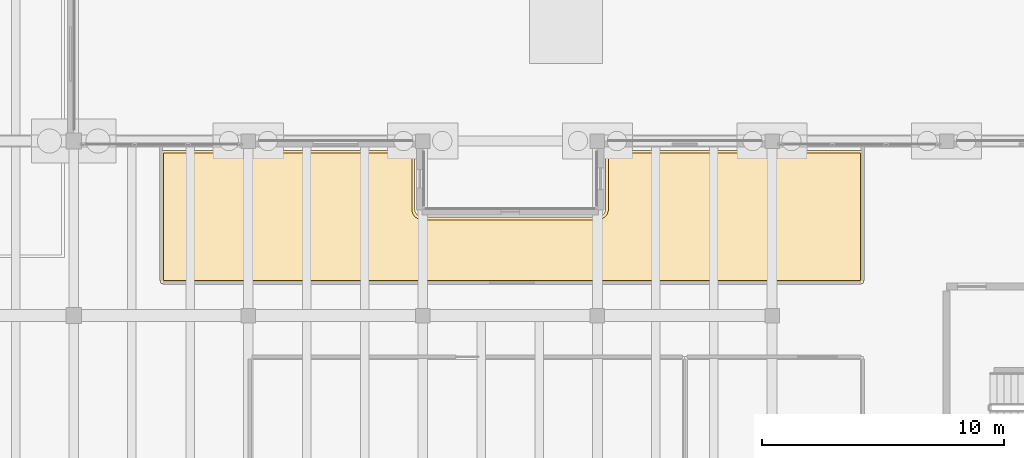
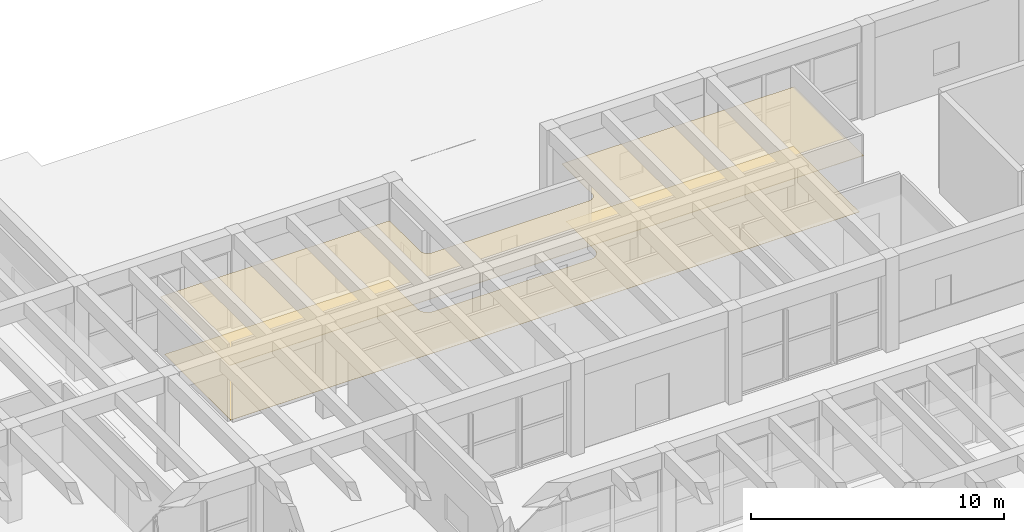
# One storey, part 149 of 155: 2 coverings.
"""IFC4 building model written with IfcOpenShell, lengths in metres."""

from ifc_helpers import new_model, si_unit, direction, frame, origin, place, context, subcontext, project, spatial, polyline, outline, extrude, material, layer, layer_set, type_object, element, save


model = new_model("IFC4")

# Units and contexts
model_context = context("Model", 3, precision=1e-05, world=origin(), true_north=direction((0.0, 1.0)))
body_context = subcontext(model_context, "Body", "Model", "MODEL_VIEW")
ifc_project = project(units=[si_unit("LENGTHUNIT", "METRE"), si_unit("AREAUNIT", "SQUARE_METRE"), si_unit("VOLUMEUNIT", "CUBIC_METRE"), si_unit("PLANEANGLEUNIT", "RADIAN"), si_unit("MASSUNIT", "GRAM", prefix="KILO")], contexts=[model_context])

# Site, building, storey
site_placement = place(None, origin())
site = spatial("IfcSite", under=ifc_project, at=site_placement, CompositionType="ELEMENT")
building_placement = place(site_placement, origin())
building = spatial("IfcBuilding", under=site, at=building_placement, Name="Bramvelor Terrace Health Centre", CompositionType="ELEMENT")
storey_placement = place(building_placement, origin())
storey = spatial("IfcBuildingStorey", under=building, at=storey_placement, Name="L01", CompositionType="ELEMENT", Elevation=0.0)

# Coverings
ifc_material_1 = material(Name="Hygienic mineral-fibre acoustic ceiling", Category="gypsum")
ifc_layer_1 = layer(ifc_material_1, 0.02001953125)
ifc_layer_set_1 = layer_set([ifc_layer_1], Name="Hygienic mineral-fibre acoustic ceiling")
covering_type_1 = type_object("IfcCoveringType", Name="COV-CLG-ACT", PredefinedType="CEILING", material=ifc_layer_set_1)
covering_1_placement = place(storey_placement, frame((0.0, 0.0, 2.75)))
element("IfcCovering", 1, at=covering_1_placement, inside=storey, type_object=covering_type_1, Name="L01 Diagnostic Ultrasound Clinic 2 Acoustic Ceiling", PredefinedType="CEILING", context=body_context, shape_type="SweptSolid", body=[
    extrude(outline(polyline([(75.77001953125, 94.951904296875), (75.77001953125, 94.949951171875), (75.76953125, 94.947998046875), (75.76904296875, 94.9462890625), (75.7685546875, 94.9443359375), (75.767578125, 94.942626953125), (75.7666015625, 94.94091796875), (75.765380859375, 94.939208984375), (75.76416015625, 94.93798828125), (75.7626953125, 94.9365234375), (75.760986328125, 94.935302734375), (75.759521484375, 94.934326171875), (75.7578125, 94.93359375), (75.755859375, 94.932861328125), (75.75390625, 94.932373046875), (75.751953125, 94.93212890625), (75.75, 94.931884765625), (46.800048828125, 94.931884765625), (46.798095703125, 94.93212890625), (46.796142578125, 94.932373046875), (46.794189453125, 94.932861328125), (46.792236328125, 94.93359375), (46.79052734375, 94.934326171875), (46.788818359375, 94.935302734375), (46.787353515625, 94.9365234375), (46.785888671875, 94.93798828125), (46.784423828125, 94.939208984375), (46.783447265625, 94.94091796875), (46.782470703125, 94.942626953125), (46.781494140625, 94.9443359375), (46.781005859375, 94.9462890625), (46.780517578125, 94.947998046875), (46.780029296875, 94.949951171875), (46.780029296875, 94.951904296875), (46.780029296875, 100.39990234375), (46.780029296875, 100.402099609375), (46.780517578125, 100.40380859375), (46.781005859375, 100.40576171875), (46.781494140625, 100.40771484375), (46.782470703125, 100.409423828125), (46.783447265625, 100.4111328125), (46.784423828125, 100.41259765625), (46.785888671875, 100.4140625), (46.787353515625, 100.41552734375), (46.788818359375, 100.41650390625), (46.79052734375, 100.41748046875), (46.792236328125, 100.41845703125), (46.794189453125, 100.419189453125), (46.796142578125, 100.419677734375), (46.798095703125, 100.419921875), (46.800048828125, 100.419921875), (57.239990234375, 100.419921875), (57.241943359375, 100.419921875), (57.243896484375, 100.419677734375), (57.245849609375, 100.419189453125), (57.247802734375, 100.41845703125), (57.24951171875, 100.41748046875), (57.251220703125, 100.41650390625), (57.252685546875, 100.41552734375), (57.254150390625, 100.4140625), (57.255615234375, 100.41259765625), (57.256591796875, 100.4111328125), (57.257568359375, 100.409423828125), (57.258544921875, 100.40771484375), (57.259033203125, 100.40576171875), (57.259521484375, 100.40380859375), (57.260009765625, 100.402099609375), (57.260009765625, 100.39990234375), (57.26171875, 97.96728515625), (57.285888671875, 97.87060546875), (57.35986328125, 97.760009765625), (57.469970703125, 97.686279296875), (57.60205078125, 97.659912109375), (64.798095703125, 97.659912109375), (64.928955078125, 97.68603515625), (65.08251953125, 97.81201171875), (65.13818359375, 97.96826171875), (65.139892578125, 100.39990234375), (65.14013671875, 100.402099609375), (65.140380859375, 100.40380859375), (65.140869140625, 100.40576171875), (65.1416015625, 100.40771484375), (65.142333984375, 100.409423828125), (65.143310546875, 100.4111328125), (65.14453125, 100.41259765625), (65.14599609375, 100.4140625), (65.147216796875, 100.41552734375), (65.14892578125, 100.41650390625), (65.150634765625, 100.41748046875), (65.15234375, 100.41845703125), (65.154296875, 100.419189453125), (65.156005859375, 100.419677734375), (65.157958984375, 100.419921875), (65.159912109375, 100.419921875), (75.75, 100.419921875), (75.751953125, 100.419921875), (75.75390625, 100.419677734375), (75.755859375, 100.419189453125), (75.7578125, 100.41845703125), (75.759521484375, 100.41748046875), (75.760986328125, 100.41650390625), (75.7626953125, 100.41552734375), (75.76416015625, 100.4140625), (75.765380859375, 100.41259765625), (75.7666015625, 100.4111328125), (75.767578125, 100.409423828125), (75.7685546875, 100.40771484375), (75.76904296875, 100.40576171875), (75.76953125, 100.40380859375), (75.77001953125, 100.402099609375), (75.77001953125, 100.39990234375), (75.77001953125, 94.951904296875)])), origin(), (0.0, 0.0, 1.0), 0.02001953125),
])
ifc_material_2 = material(Name="Seamless antimicrobial clinical vinyl", Category="polymer")
ifc_layer_2 = layer(ifc_material_2, 0.008056640625)
ifc_layer_set_2 = layer_set([ifc_layer_2], Name="Seamless antimicrobial clinical vinyl")
covering_type_2 = type_object("IfcCoveringType", Name="COV-FLR-VNL", PredefinedType="FLOORING", material=ifc_layer_set_2)
covering_2_placement = place(storey_placement, origin())
element("IfcCovering", 2, at=covering_2_placement, inside=storey, type_object=covering_type_2, Name="L01 Diagnostic Ultrasound Clinic 2 Clinical Vinyl Flooring", PredefinedType="FLOORING", context=body_context, shape_type="SweptSolid", body=[
    extrude(outline(polyline([(75.64990234375, 95.052001953125), (46.89990234375, 95.052001953125), (46.89990234375, 100.300048828125), (57.14013671875, 100.300048828125), (57.1416015625, 97.964599609375), (57.142578125, 97.952392578125), (57.144775390625, 97.9404296875), (57.17041015625, 97.837890625), (57.1728515625, 97.82958984375), (57.176025390625, 97.82177734375), (57.1796875, 97.81396484375), (57.184326171875, 97.806640625), (57.26220703125, 97.68994140625), (57.26806640625, 97.681884765625), (57.274658203125, 97.6748046875), (57.281982421875, 97.668212890625), (57.289794921875, 97.662353515625), (57.40673828125, 97.584228515625), (57.4150390625, 97.5791015625), (57.424072265625, 97.574951171875), (57.43310546875, 97.57177734375), (57.442626953125, 97.5693359375), (57.58056640625, 97.5419921875), (57.590087890625, 97.54052734375), (57.60009765625, 97.5400390625), (64.800048828125, 97.5400390625), (64.809814453125, 97.54052734375), (64.819580078125, 97.5419921875), (64.957275390625, 97.5693359375), (64.966796875, 97.57177734375), (64.97607421875, 97.574951171875), (64.98486328125, 97.5791015625), (64.993408203125, 97.584228515625), (65.001220703125, 97.590087890625), (65.162841796875, 97.72265625), (65.170654296875, 97.72998046875), (65.177978515625, 97.738037109375), (65.18408203125, 97.746826171875), (65.189208984375, 97.75634765625), (65.193603515625, 97.766357421875), (65.25244140625, 97.930908203125), (65.255615234375, 97.94189453125), (65.257568359375, 97.953125), (65.25830078125, 97.964599609375), (65.260009765625, 100.300048828125), (75.64990234375, 100.300048828125), (75.64990234375, 95.052001953125)])), origin(), (0.0, 0.0, 1.0), 0.008056640625),
])

save(model, "model.ifc")
